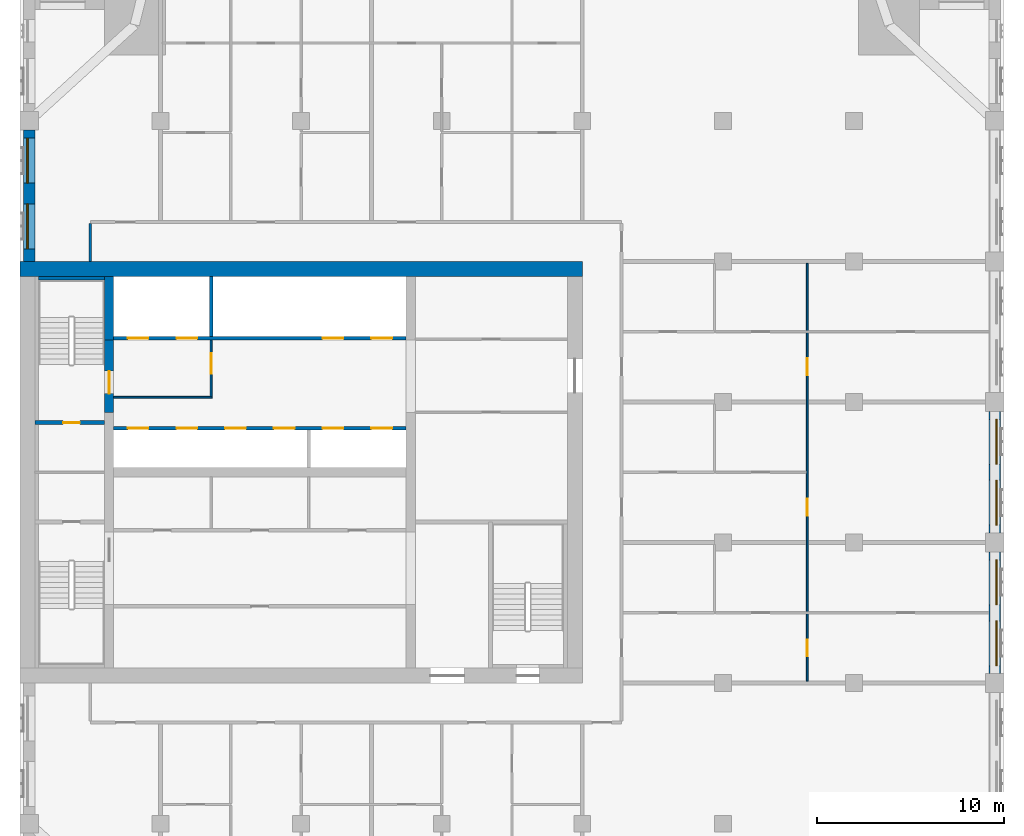
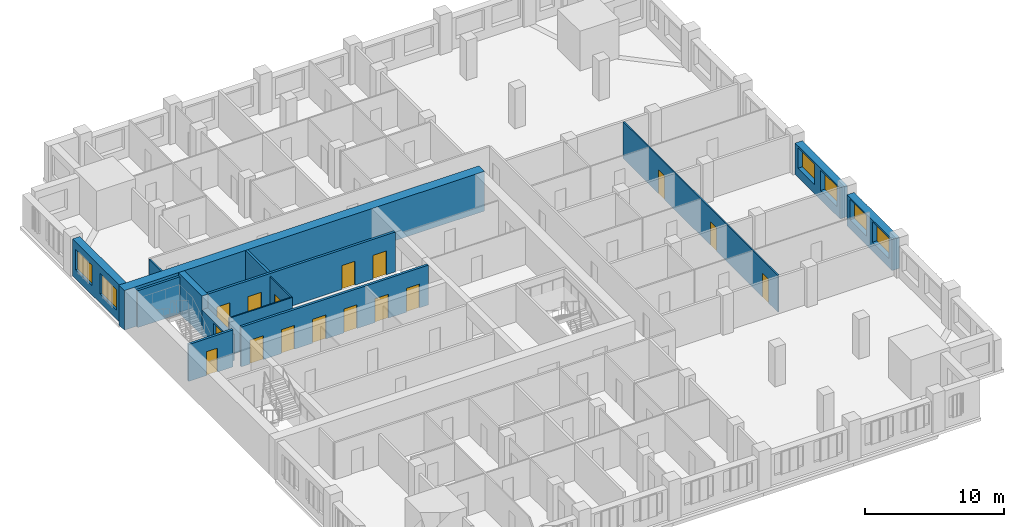
# One storey, part 9 of 14: 16 doors, 15 walls, 6 windows, 22 openings.
"""IFC4 building model written with IfcOpenShell, lengths in metres."""

from ifc_helpers import new_model, si_unit, direction, frame, frame_2d, origin, place, context, subcontext, project, spatial, rectangle, extrude, material, layer, layer_set, type_object, element, fill, save


model = new_model("IFC4")

# Units and contexts
model_context = context("Model", 3, precision=1e-05, world=origin(), true_north=direction((0.0, 1.0)))
body_context = subcontext(model_context, "Body", "Model", "MODEL_VIEW")
ifc_project = project(units=[si_unit("LENGTHUNIT", "METRE"), si_unit("AREAUNIT", "SQUARE_METRE"), si_unit("VOLUMEUNIT", "CUBIC_METRE"), si_unit("PLANEANGLEUNIT", "RADIAN"), si_unit("MASSUNIT", "GRAM", prefix="KILO")], contexts=[model_context])

# Site, building, storey
site_placement = place(None, origin())
site = spatial("IfcSite", under=ifc_project, at=site_placement, CompositionType="ELEMENT")
building_placement = place(site_placement, origin())
building = spatial("IfcBuilding", under=site, at=building_placement, Name="Tamorin Gate", CompositionType="ELEMENT")
storey_placement = place(building_placement, frame((0.0, 0.0, 182.699951171875)))
storey = spatial("IfcBuildingStorey", under=building, at=storey_placement, Name="L44", CompositionType="ELEMENT", Elevation=182.699951171875)

# Wall, openings, windows
ifc_material_1 = material(Name="Precast concrete C40/50", Category="concrete")
ifc_layer_1 = layer(ifc_material_1, 0.60009765625)
ifc_layer_set_1 = layer_set([ifc_layer_1], Name="Precast concrete C40/50")
wall_type_1 = type_object("IfcWallType", Name="Board-marked concrete facade panel 600", PredefinedType="SOLIDWALL", material=ifc_layer_set_1)
wall_1_placement = place(storey_placement, frame((82.0, 60.5, 0.0), z_axis=(0.0, 0.0, 1.0), x_axis=(0.0, 1.0, 0.0)))
wall_1 = element("IfcWall", 1, at=wall_1_placement, inside=storey, type_object=wall_type_1, Name="Facade panel", PredefinedType="SOLIDWALL", context=body_context, shape_type="SweptSolid", body=[
    extrude(rectangle(XDim=6.5, YDim=0.60009765625, at=frame_2d((3.25, 0.0))), origin(), (0.0, 0.0, 1.0), 2.75),
])
opening_1_placement = place(wall_1_placement, frame((0.425048828125, 0.0, 0.800048828125)))
opening_1 = element("IfcOpeningElement", 2, at=opening_1_placement, cuts=wall_1, Name="Opening WN1", PredefinedType="OPENING", context=body_context, shape_type="SweptSolid", body=[
    extrude(rectangle(XDim=2.39990234375, YDim=1.800048828125, at=frame_2d((1.199951171875, 0.89990234375))), frame((0.0, 0.31005859375, 0.0), z_axis=(0.0, -1.0, 0.0), x_axis=(1.0, 0.0, 0.0)), (0.0, 0.0, 1.0), 0.6201171875),
])
opening_2_placement = place(wall_1_placement, frame((3.675048828125, 0.0, 0.800048828125)))
opening_2 = element("IfcOpeningElement", 3, at=opening_2_placement, cuts=wall_1, Name="Opening WN1", PredefinedType="OPENING", context=body_context, shape_type="SweptSolid", body=[
    extrude(rectangle(XDim=2.39990234375, YDim=1.800048828125, at=frame_2d((1.199951171875, 0.89990234375))), frame((0.0, 0.31005859375, 0.0), z_axis=(0.0, -1.0, 0.0), x_axis=(1.0, 0.0, 0.0)), (0.0, 0.0, 1.0), 0.6201171875),
])
ifc_material_2 = material(Name="Clear glass in aluminium frame", Category="aluminium")
window_type = type_object("IfcWindowType", Name="Deep-set window 2400x1800", PartitioningType="SINGLE_PANEL", PredefinedType="WINDOW", material=ifc_material_2)
window_1_placement = place(opening_1_placement, origin())
window_1 = element("IfcWindow", 4, at=window_1_placement, inside=storey, type_object=window_type, Name="Deep-set window", OverallHeight=1.800048828125, OverallWidth=2.39990234375, PartitioningType="SINGLE_PANEL", PredefinedType="WINDOW", context=body_context, shape_type="SweptSolid", body=[
    extrude(rectangle(XDim=2.39990234375, YDim=1.800048828125, at=frame_2d((1.199951171875, 0.89990234375))), frame((0.0, -0.070068359375, 0.0), z_axis=(0.0, -1.0, 0.0), x_axis=(1.0, 0.0, 0.0)), (0.0, 0.0, 1.0), 0.06005859375),
])
fill(opening_1, window_1)
window_2_placement = place(opening_2_placement, origin())
window_2 = element("IfcWindow", 5, at=window_2_placement, inside=storey, type_object=window_type, Name="Deep-set window", OverallHeight=1.800048828125, OverallWidth=2.39990234375, PartitioningType="SINGLE_PANEL", PredefinedType="WINDOW", context=body_context, shape_type="SweptSolid", body=[
    extrude(rectangle(XDim=2.39990234375, YDim=1.800048828125, at=frame_2d((1.199951171875, 0.89990234375))), frame((0.0, -0.070068359375, 0.0), z_axis=(0.0, -1.0, 0.0), x_axis=(1.0, 0.0, 0.0)), (0.0, 0.0, 1.0), 0.06005859375),
])
fill(opening_2, window_2)

wall_2_placement = place(storey_placement, frame((82.0, 68.0, 0.0), z_axis=(0.0, 0.0, 1.0), x_axis=(0.0, 1.0, 0.0)))
wall_2 = element("IfcWall", 6, at=wall_2_placement, inside=storey, type_object=wall_type_1, Name="Facade panel", PredefinedType="SOLIDWALL", context=body_context, shape_type="SweptSolid", body=[
    extrude(rectangle(XDim=6.5, YDim=0.60009765625, at=frame_2d((3.25, 0.0))), origin(), (0.0, 0.0, 1.0), 2.75),
])
opening_3_placement = place(wall_2_placement, frame((0.425048828125, 0.0, 0.800048828125)))
opening_3 = element("IfcOpeningElement", 7, at=opening_3_placement, cuts=wall_2, Name="Opening WN1", PredefinedType="OPENING", context=body_context, shape_type="SweptSolid", body=[
    extrude(rectangle(XDim=2.39990234375, YDim=1.800048828125, at=frame_2d((1.199951171875, 0.89990234375))), frame((0.0, 0.31005859375, 0.0), z_axis=(0.0, -1.0, 0.0), x_axis=(1.0, 0.0, 0.0)), (0.0, 0.0, 1.0), 0.6201171875),
])
opening_4_placement = place(wall_2_placement, frame((3.675048828125, 0.0, 0.800048828125)))
opening_4 = element("IfcOpeningElement", 8, at=opening_4_placement, cuts=wall_2, Name="Opening WN1", PredefinedType="OPENING", context=body_context, shape_type="SweptSolid", body=[
    extrude(rectangle(XDim=2.39990234375, YDim=1.800048828125, at=frame_2d((1.199951171875, 0.89990234375))), frame((0.0, 0.31005859375, 0.0), z_axis=(0.0, -1.0, 0.0), x_axis=(1.0, 0.0, 0.0)), (0.0, 0.0, 1.0), 0.6201171875),
])
window_3_placement = place(opening_3_placement, origin())
window_3 = element("IfcWindow", 9, at=window_3_placement, inside=storey, type_object=window_type, Name="Deep-set window", OverallHeight=1.800048828125, OverallWidth=2.39990234375, PartitioningType="SINGLE_PANEL", PredefinedType="WINDOW", context=body_context, shape_type="SweptSolid", body=[
    extrude(rectangle(XDim=2.39990234375, YDim=1.800048828125, at=frame_2d((1.199951171875, 0.89990234375))), frame((0.0, -0.070068359375, 0.0), z_axis=(0.0, -1.0, 0.0), x_axis=(1.0, 0.0, 0.0)), (0.0, 0.0, 1.0), 0.06005859375),
])
fill(opening_3, window_3)
window_4_placement = place(opening_4_placement, origin())
window_4 = element("IfcWindow", 10, at=window_4_placement, inside=storey, type_object=window_type, Name="Deep-set window", OverallHeight=1.800048828125, OverallWidth=2.39990234375, PartitioningType="SINGLE_PANEL", PredefinedType="WINDOW", context=body_context, shape_type="SweptSolid", body=[
    extrude(rectangle(XDim=2.39990234375, YDim=1.800048828125, at=frame_2d((1.199951171875, 0.89990234375))), frame((0.0, -0.070068359375, 0.0), z_axis=(0.0, -1.0, 0.0), x_axis=(1.0, 0.0, 0.0)), (0.0, 0.0, 1.0), 0.06005859375),
])
fill(opening_4, window_4)

wall_3_placement = place(storey_placement, frame((30.5, 89.5, 0.0), z_axis=(0.0, 0.0, 1.0), x_axis=(0.0, -1.0, 0.0)))
wall_3 = element("IfcWall", 11, at=wall_3_placement, inside=storey, type_object=wall_type_1, Name="Facade panel", PredefinedType="SOLIDWALL", context=body_context, shape_type="SweptSolid", body=[
    extrude(rectangle(XDim=7.0, YDim=0.60009765625, at=frame_2d((3.5, 0.0))), origin(), (0.0, 0.0, 1.0), 3.25),
])
opening_5_placement = place(wall_3_placement, frame((3.925048828125, 0.0, 0.800048828125)))
opening_5 = element("IfcOpeningElement", 12, at=opening_5_placement, cuts=wall_3, Name="Opening WN1", PredefinedType="OPENING", context=body_context, shape_type="SweptSolid", body=[
    extrude(rectangle(XDim=2.39990234375, YDim=1.800048828125, at=frame_2d((1.199951171875, 0.89990234375))), frame((0.0, 0.31005859375, 0.0), z_axis=(0.0, -1.0, 0.0), x_axis=(1.0, 0.0, 0.0)), (0.0, 0.0, 1.0), 0.6201171875),
])
opening_6_placement = place(wall_3_placement, frame((0.425048828125, 0.0, 0.800048828125)))
opening_6 = element("IfcOpeningElement", 13, at=opening_6_placement, cuts=wall_3, Name="Opening WN1", PredefinedType="OPENING", context=body_context, shape_type="SweptSolid", body=[
    extrude(rectangle(XDim=2.39990234375, YDim=1.800048828125, at=frame_2d((1.199951171875, 0.89990234375))), frame((0.0, 0.31005859375, 0.0), z_axis=(0.0, -1.0, 0.0), x_axis=(1.0, 0.0, 0.0)), (0.0, 0.0, 1.0), 0.6201171875),
])
window_5_placement = place(opening_5_placement, origin())
window_5 = element("IfcWindow", 14, at=window_5_placement, inside=storey, type_object=window_type, Name="Deep-set window", OverallHeight=1.800048828125, OverallWidth=2.39990234375, PartitioningType="SINGLE_PANEL", PredefinedType="WINDOW", context=body_context, shape_type="SweptSolid", body=[
    extrude(rectangle(XDim=2.39990234375, YDim=1.800048828125, at=frame_2d((1.199951171875, 0.89990234375))), frame((0.0, -0.070068359375, 0.0), z_axis=(0.0, -1.0, 0.0), x_axis=(1.0, 0.0, 0.0)), (0.0, 0.0, 1.0), 0.06005859375),
])
fill(opening_5, window_5)
window_6_placement = place(opening_6_placement, origin())
window_6 = element("IfcWindow", 15, at=window_6_placement, inside=storey, type_object=window_type, Name="Deep-set window", OverallHeight=1.800048828125, OverallWidth=2.39990234375, PartitioningType="SINGLE_PANEL", PredefinedType="WINDOW", context=body_context, shape_type="SweptSolid", body=[
    extrude(rectangle(XDim=2.39990234375, YDim=1.800048828125, at=frame_2d((1.199951171875, 0.89990234375))), frame((0.0, -0.070068359375, 0.0), z_axis=(0.0, -1.0, 0.0), x_axis=(1.0, 0.0, 0.0)), (0.0, 0.0, 1.0), 0.06005859375),
])
fill(opening_6, window_6)

# Wall
ifc_material_3 = material(Name="Gypsum board partition")
ifc_layer_2 = layer(ifc_material_3, 0.14990234375)
ifc_layer_set_2 = layer_set([ifc_layer_2], Name="Corridor wall 150")
wall_type_2 = type_object("IfcWallType", Name="Corridor wall 150", PredefinedType="PARTITIONING", material=ifc_layer_set_2)
wall_4_placement = place(storey_placement, frame((33.75, 82.5, 0.0), z_axis=(0.0, 0.0, 1.0), x_axis=(0.0, 1.0, 0.0)))
element("IfcWall", 16, at=wall_4_placement, inside=storey, type_object=wall_type_2, Name="Corridor wall 150", PredefinedType="PARTITIONING", context=body_context, shape_type="SweptSolid", body=[
    extrude(rectangle(XDim=2.02490234375, YDim=0.14990234375, at=frame_2d((1.012451171875, 0.0))), origin(), (0.0, 0.0, 1.0), 3.25),
])

# Wall, openings, doors
ifc_material_4 = material(Name="Concrete C32/40", Category="concrete")
ifc_layer_3 = layer(ifc_material_4, 0.199951171875)
ifc_layer_set_3 = layer_set([ifc_layer_3], Name="Lift lobby face wall 200 EI 120")
wall_type_3 = type_object("IfcWallType", Name="Lift lobby face wall 200 EI 120", PredefinedType="SOLIDWALL", material=ifc_layer_set_3)
wall_5_placement = place(storey_placement, frame((35.0, 73.60009765625, 0.0), z_axis=(0.0, 0.0, 1.0), x_axis=(1.0, 0.0, 0.0)))
wall_5 = element("IfcWall", 17, at=wall_5_placement, inside=storey, type_object=wall_type_3, Name="Lift lobby face wall", PredefinedType="SOLIDWALL", context=body_context, shape_type="SweptSolid", body=[
    extrude(rectangle(XDim=15.60009765625, YDim=0.199951171875, at=frame_2d((7.800048828125, 0.0))), origin(), (0.0, 0.0, 1.0), 3.5),
])
opening_7_placement = place(wall_5_placement, frame((0.75, 0.0, 0.0)))
opening_7 = element("IfcOpeningElement", 18, at=opening_7_placement, cuts=wall_5, Name="Opening LD11", PredefinedType="OPENING", context=body_context, shape_type="SweptSolid", body=[
    extrude(rectangle(XDim=1.10009765625, YDim=2.10009765625, at=frame_2d((0.550048828125, 1.050048828125))), frame((0.0, 0.10986328125, 0.0), z_axis=(0.0, -1.0, 0.0), x_axis=(1.0, 0.0, 0.0)), (0.0, 0.0, 1.0), 0.219970703125),
])
opening_8_placement = place(wall_5_placement, frame((3.35009765625, 0.0, 0.0)))
opening_8 = element("IfcOpeningElement", 19, at=opening_8_placement, cuts=wall_5, Name="Opening LD12", PredefinedType="OPENING", context=body_context, shape_type="SweptSolid", body=[
    extrude(rectangle(XDim=1.10009765625, YDim=2.10009765625, at=frame_2d((0.550048828125, 1.050048828125))), frame((0.0, 0.10986328125, 0.0), z_axis=(0.0, -1.0, 0.0), x_axis=(1.0, 0.0, 0.0)), (0.0, 0.0, 1.0), 0.219970703125),
])
opening_9_placement = place(wall_5_placement, frame((5.949951171875, 0.0, 0.0)))
opening_9 = element("IfcOpeningElement", 20, at=opening_9_placement, cuts=wall_5, Name="Opening LD13", PredefinedType="OPENING", context=body_context, shape_type="SweptSolid", body=[
    extrude(rectangle(XDim=1.10009765625, YDim=2.10009765625, at=frame_2d((0.550048828125, 1.050048828125))), frame((0.0, 0.10986328125, 0.0), z_axis=(0.0, -1.0, 0.0), x_axis=(1.0, 0.0, 0.0)), (0.0, 0.0, 1.0), 0.219970703125),
])
opening_10_placement = place(wall_5_placement, frame((8.550048828125, 0.0, 0.0)))
opening_10 = element("IfcOpeningElement", 21, at=opening_10_placement, cuts=wall_5, Name="Opening LD14", PredefinedType="OPENING", context=body_context, shape_type="SweptSolid", body=[
    extrude(rectangle(XDim=1.10009765625, YDim=2.10009765625, at=frame_2d((0.550048828125, 1.050048828125))), frame((0.0, 0.10986328125, 0.0), z_axis=(0.0, -1.0, 0.0), x_axis=(1.0, 0.0, 0.0)), (0.0, 0.0, 1.0), 0.219970703125),
])
opening_11_placement = place(wall_5_placement, frame((11.14990234375, 0.0, 0.0)))
opening_11 = element("IfcOpeningElement", 22, at=opening_11_placement, cuts=wall_5, Name="Opening LD15", PredefinedType="OPENING", context=body_context, shape_type="SweptSolid", body=[
    extrude(rectangle(XDim=1.10009765625, YDim=2.10009765625, at=frame_2d((0.550048828125, 1.050048828125))), frame((0.0, 0.10986328125, 0.0), z_axis=(0.0, -1.0, 0.0), x_axis=(1.0, 0.0, 0.0)), (0.0, 0.0, 1.0), 0.219970703125),
])
opening_12_placement = place(wall_5_placement, frame((13.75, 0.0, 0.0)))
opening_12 = element("IfcOpeningElement", 23, at=opening_12_placement, cuts=wall_5, Name="Opening LD16", PredefinedType="OPENING", context=body_context, shape_type="SweptSolid", body=[
    extrude(rectangle(XDim=1.10009765625, YDim=2.10009765625, at=frame_2d((0.550048828125, 1.050048828125))), frame((0.0, 0.10986328125, 0.0), z_axis=(0.0, -1.0, 0.0), x_axis=(1.0, 0.0, 0.0)), (0.0, 0.0, 1.0), 0.219970703125),
])
ifc_material_5 = material(Name="Stainless steel sliding door", Category="steel")
door_type_1 = type_object("IfcDoorType", Name="Lift landing door 1100 x 2100 E 90", OperationType="DOUBLE_DOOR_SLIDING", PredefinedType="DOOR", material=ifc_material_5)
door_1_placement = place(opening_7_placement, origin())
door_1 = element("IfcDoor", 24, at=door_1_placement, inside=storey, type_object=door_type_1, Name="HR1 landing door", OperationType="DOUBLE_DOOR_SLIDING", OverallHeight=2.10009765625, OverallWidth=1.10009765625, PredefinedType="DOOR", context=body_context, shape_type="SweptSolid", body=[
    extrude(rectangle(XDim=1.10009765625, YDim=2.10009765625, at=frame_2d((0.550048828125, 1.050048828125))), frame((0.0, 0.02490234375, 0.0), z_axis=(0.0, -1.0, 0.0), x_axis=(1.0, 0.0, 0.0)), (0.0, 0.0, 1.0), 0.050048828125),
])
fill(opening_7, door_1)
door_2_placement = place(opening_8_placement, origin())
door_2 = element("IfcDoor", 25, at=door_2_placement, inside=storey, type_object=door_type_1, Name="HR2 landing door", OperationType="DOUBLE_DOOR_SLIDING", OverallHeight=2.10009765625, OverallWidth=1.10009765625, PredefinedType="DOOR", context=body_context, shape_type="SweptSolid", body=[
    extrude(rectangle(XDim=1.10009765625, YDim=2.10009765625, at=frame_2d((0.550048828125, 1.050048828125))), frame((0.0, 0.02490234375, 0.0), z_axis=(0.0, -1.0, 0.0), x_axis=(1.0, 0.0, 0.0)), (0.0, 0.0, 1.0), 0.050048828125),
])
fill(opening_8, door_2)
door_3_placement = place(opening_9_placement, origin())
door_3 = element("IfcDoor", 26, at=door_3_placement, inside=storey, type_object=door_type_1, Name="HR3 landing door", OperationType="DOUBLE_DOOR_SLIDING", OverallHeight=2.10009765625, OverallWidth=1.10009765625, PredefinedType="DOOR", context=body_context, shape_type="SweptSolid", body=[
    extrude(rectangle(XDim=1.10009765625, YDim=2.10009765625, at=frame_2d((0.550048828125, 1.050048828125))), frame((0.0, 0.02490234375, 0.0), z_axis=(0.0, -1.0, 0.0), x_axis=(1.0, 0.0, 0.0)), (0.0, 0.0, 1.0), 0.050048828125),
])
fill(opening_9, door_3)
door_4_placement = place(opening_10_placement, origin())
door_4 = element("IfcDoor", 27, at=door_4_placement, inside=storey, type_object=door_type_1, Name="HR4 landing door", OperationType="DOUBLE_DOOR_SLIDING", OverallHeight=2.10009765625, OverallWidth=1.10009765625, PredefinedType="DOOR", context=body_context, shape_type="SweptSolid", body=[
    extrude(rectangle(XDim=1.10009765625, YDim=2.10009765625, at=frame_2d((0.550048828125, 1.050048828125))), frame((0.0, 0.02490234375, 0.0), z_axis=(0.0, -1.0, 0.0), x_axis=(1.0, 0.0, 0.0)), (0.0, 0.0, 1.0), 0.050048828125),
])
fill(opening_10, door_4)
door_5_placement = place(opening_11_placement, origin())
door_5 = element("IfcDoor", 28, at=door_5_placement, inside=storey, type_object=door_type_1, Name="HR5 landing door", OperationType="DOUBLE_DOOR_SLIDING", OverallHeight=2.10009765625, OverallWidth=1.10009765625, PredefinedType="DOOR", context=body_context, shape_type="SweptSolid", body=[
    extrude(rectangle(XDim=1.10009765625, YDim=2.10009765625, at=frame_2d((0.550048828125, 1.050048828125))), frame((0.0, 0.02490234375, 0.0), z_axis=(0.0, -1.0, 0.0), x_axis=(1.0, 0.0, 0.0)), (0.0, 0.0, 1.0), 0.050048828125),
])
fill(opening_11, door_5)
door_6_placement = place(opening_12_placement, origin())
door_6 = element("IfcDoor", 29, at=door_6_placement, inside=storey, type_object=door_type_1, Name="HR6 landing door", OperationType="DOUBLE_DOOR_SLIDING", OverallHeight=2.10009765625, OverallWidth=1.10009765625, PredefinedType="DOOR", context=body_context, shape_type="SweptSolid", body=[
    extrude(rectangle(XDim=1.10009765625, YDim=2.10009765625, at=frame_2d((0.550048828125, 1.050048828125))), frame((0.0, 0.02490234375, 0.0), z_axis=(0.0, -1.0, 0.0), x_axis=(1.0, 0.0, 0.0)), (0.0, 0.0, 1.0), 0.050048828125),
])
fill(opening_12, door_6)

wall_6_placement = place(storey_placement, frame((35.0, 78.39990234375, 0.0), z_axis=(0.0, 0.0, 1.0), x_axis=(1.0, 0.0, 0.0)))
wall_6 = element("IfcWall", 30, at=wall_6_placement, inside=storey, type_object=wall_type_3, Name="Lift lobby face wall", PredefinedType="SOLIDWALL", context=body_context, shape_type="SweptSolid", body=[
    extrude(rectangle(XDim=15.60009765625, YDim=0.199951171875, at=frame_2d((7.800048828125, 0.0))), origin(), (0.0, 0.0, 1.0), 3.5),
])
opening_13_placement = place(wall_6_placement, frame((0.75, 0.0, 0.0)))
opening_13 = element("IfcOpeningElement", 31, at=opening_13_placement, cuts=wall_6, Name="Opening LD17", PredefinedType="OPENING", context=body_context, shape_type="SweptSolid", body=[
    extrude(rectangle(XDim=1.10009765625, YDim=2.10009765625, at=frame_2d((0.550048828125, 1.050048828125))), frame((0.0, 0.10986328125, 0.0), z_axis=(0.0, -1.0, 0.0), x_axis=(1.0, 0.0, 0.0)), (0.0, 0.0, 1.0), 0.219970703125),
])
opening_14_placement = place(wall_6_placement, frame((3.35009765625, 0.0, 0.0)))
opening_14 = element("IfcOpeningElement", 32, at=opening_14_placement, cuts=wall_6, Name="Opening LD18", PredefinedType="OPENING", context=body_context, shape_type="SweptSolid", body=[
    extrude(rectangle(XDim=1.10009765625, YDim=2.10009765625, at=frame_2d((0.550048828125, 1.050048828125))), frame((0.0, 0.10986328125, 0.0), z_axis=(0.0, -1.0, 0.0), x_axis=(1.0, 0.0, 0.0)), (0.0, 0.0, 1.0), 0.219970703125),
])
opening_15_placement = place(wall_6_placement, frame((11.14990234375, 0.0, 0.0)))
opening_15 = element("IfcOpeningElement", 33, at=opening_15_placement, cuts=wall_6, Name="Opening LD21", PredefinedType="OPENING", context=body_context, shape_type="SweptSolid", body=[
    extrude(rectangle(XDim=1.10009765625, YDim=2.10009765625, at=frame_2d((0.550048828125, 1.050048828125))), frame((0.0, 0.10986328125, 0.0), z_axis=(0.0, -1.0, 0.0), x_axis=(1.0, 0.0, 0.0)), (0.0, 0.0, 1.0), 0.219970703125),
])
opening_16_placement = place(wall_6_placement, frame((13.75, 0.0, 0.0)))
opening_16 = element("IfcOpeningElement", 34, at=opening_16_placement, cuts=wall_6, Name="Opening LD22", PredefinedType="OPENING", context=body_context, shape_type="SweptSolid", body=[
    extrude(rectangle(XDim=1.10009765625, YDim=2.10009765625, at=frame_2d((0.550048828125, 1.050048828125))), frame((0.0, 0.10986328125, 0.0), z_axis=(0.0, -1.0, 0.0), x_axis=(1.0, 0.0, 0.0)), (0.0, 0.0, 1.0), 0.219970703125),
])
door_7_placement = place(opening_13_placement, origin())
door_7 = element("IfcDoor", 35, at=door_7_placement, inside=storey, type_object=door_type_1, Name="FF1 landing door", OperationType="DOUBLE_DOOR_SLIDING", OverallHeight=2.10009765625, OverallWidth=1.10009765625, PredefinedType="DOOR", context=body_context, shape_type="SweptSolid", body=[
    extrude(rectangle(XDim=1.10009765625, YDim=2.10009765625, at=frame_2d((0.550048828125, 1.050048828125))), frame((0.0, 0.02490234375, 0.0), z_axis=(0.0, -1.0, 0.0), x_axis=(1.0, 0.0, 0.0)), (0.0, 0.0, 1.0), 0.050048828125),
])
fill(opening_13, door_7)
door_8_placement = place(opening_14_placement, origin())
door_8 = element("IfcDoor", 36, at=door_8_placement, inside=storey, type_object=door_type_1, Name="FF2 landing door", OperationType="DOUBLE_DOOR_SLIDING", OverallHeight=2.10009765625, OverallWidth=1.10009765625, PredefinedType="DOOR", context=body_context, shape_type="SweptSolid", body=[
    extrude(rectangle(XDim=1.10009765625, YDim=2.10009765625, at=frame_2d((0.550048828125, 1.050048828125))), frame((0.0, 0.02490234375, 0.0), z_axis=(0.0, -1.0, 0.0), x_axis=(1.0, 0.0, 0.0)), (0.0, 0.0, 1.0), 0.050048828125),
])
fill(opening_14, door_8)
door_9_placement = place(opening_15_placement, origin())
door_9 = element("IfcDoor", 37, at=door_9_placement, inside=storey, type_object=door_type_1, Name="SV1 landing door", OperationType="DOUBLE_DOOR_SLIDING", OverallHeight=2.10009765625, OverallWidth=1.10009765625, PredefinedType="DOOR", context=body_context, shape_type="SweptSolid", body=[
    extrude(rectangle(XDim=1.10009765625, YDim=2.10009765625, at=frame_2d((0.550048828125, 1.050048828125))), frame((0.0, 0.02490234375, 0.0), z_axis=(0.0, -1.0, 0.0), x_axis=(1.0, 0.0, 0.0)), (0.0, 0.0, 1.0), 0.050048828125),
])
fill(opening_15, door_9)
door_10_placement = place(opening_16_placement, origin())
door_10 = element("IfcDoor", 38, at=door_10_placement, inside=storey, type_object=door_type_1, Name="SV2 landing door", OperationType="DOUBLE_DOOR_SLIDING", OverallHeight=2.10009765625, OverallWidth=1.10009765625, PredefinedType="DOOR", context=body_context, shape_type="SweptSolid", body=[
    extrude(rectangle(XDim=1.10009765625, YDim=2.10009765625, at=frame_2d((0.550048828125, 1.050048828125))), frame((0.0, 0.02490234375, 0.0), z_axis=(0.0, -1.0, 0.0), x_axis=(1.0, 0.0, 0.0)), (0.0, 0.0, 1.0), 0.050048828125),
])
fill(opening_16, door_10)

# Walls
ifc_layer_4 = layer(ifc_material_4, 0.199951171875)
ifc_layer_set_4 = layer_set([ifc_layer_4], Name="Lift shaft wall 200 EI 120")
wall_type_4 = type_object("IfcWallType", Name="Lift shaft wall 200 EI 120", PredefinedType="SOLIDWALL", material=ifc_layer_set_4)
wall_7_placement = place(storey_placement, frame((40.199951171875, 78.5, 0.0), z_axis=(0.0, 0.0, 1.0), x_axis=(0.0, 1.0, 0.0)))
element("IfcWall", 39, at=wall_7_placement, inside=storey, type_object=wall_type_4, Name="Lift shaft wall", PredefinedType="SOLIDWALL", context=body_context, shape_type="SweptSolid", body=[
    extrude(rectangle(XDim=3.199951171875, YDim=0.199951171875, at=frame_2d((1.60009765625, 0.0))), origin(), (0.0, 0.0, 1.0), 3.5),
])
ifc_material_6 = material(Name="Fire-rated gypsum board partition")
ifc_layer_5 = layer(ifc_material_6, 0.10009765625)
ifc_layer_set_5 = layer_set([ifc_layer_5], Name="Lobby wall 100 EI 60")
wall_type_5 = type_object("IfcWallType", Name="Lobby wall 100 EI 60", PredefinedType="PARTITIONING", material=ifc_layer_set_5)
wall_8_placement = place(storey_placement, frame((35.0, 75.25, 0.0), z_axis=(0.0, 0.0, 1.0), x_axis=(1.0, 0.0, 0.0)))
element("IfcWall", 40, at=wall_8_placement, inside=storey, type_object=wall_type_5, Name="Firefighting lobby wall", PredefinedType="PARTITIONING", context=body_context, shape_type="SweptSolid", body=[
    extrude(rectangle(XDim=5.25, YDim=0.10009765625, at=frame_2d((2.625, 0.0))), origin(), (0.0, 0.0, 1.0), 3.25),
])

# Wall, opening, door
wall_9_placement = place(storey_placement, frame((40.199951171875, 75.300048828125, 0.0), z_axis=(0.0, 0.0, 1.0), x_axis=(0.0, 1.0, 0.0)))
wall_9 = element("IfcWall", 41, at=wall_9_placement, inside=storey, type_object=wall_type_5, Name="Firefighting lobby wall", PredefinedType="PARTITIONING", context=body_context, shape_type="SweptSolid", body=[
    extrude(rectangle(XDim=3.0, YDim=0.10009765625, at=frame_2d((1.5, 0.0))), origin(), (0.0, 0.0, 1.0), 3.25),
])
opening_17_placement = place(wall_9_placement, frame((1.199951171875, 0.0, 0.0)))
opening_17 = element("IfcOpeningElement", 42, at=opening_17_placement, cuts=wall_9, Name="Opening DF1", PredefinedType="OPENING", context=body_context, shape_type="SweptSolid", body=[
    extrude(rectangle(XDim=1.10009765625, YDim=2.10009765625, at=frame_2d((0.550048828125, 1.050048828125))), frame((0.0, 0.06005859375, 0.0), z_axis=(0.0, -1.0, 0.0), x_axis=(1.0, 0.0, 0.0)), (0.0, 0.0, 1.0), 0.1201171875),
])
ifc_material_7 = material(Name="Steel fire door", Category="steel")
door_type_2 = type_object("IfcDoorType", Name="Firefighting lobby door 1100 x 2100 EI 90", OperationType="SINGLE_SWING_LEFT", PredefinedType="DOOR", material=ifc_material_7)
door_11_placement = place(opening_17_placement, origin())
door_11 = element("IfcDoor", 43, at=door_11_placement, inside=storey, type_object=door_type_2, Name="Firefighting lobby door", OperationType="SINGLE_SWING_LEFT", OverallHeight=2.10009765625, OverallWidth=1.10009765625, PredefinedType="DOOR", context=body_context, shape_type="SweptSolid", body=[
    extrude(rectangle(XDim=1.10009765625, YDim=2.10009765625, at=frame_2d((0.550048828125, 1.050048828125))), frame((0.0, 0.02490234375, 0.0), z_axis=(0.0, -1.0, 0.0), x_axis=(1.0, 0.0, 0.0)), (0.0, 0.0, 1.0), 0.050048828125),
])
fill(opening_17, door_11)

# Walls
ifc_material_8 = material(Name="Concrete C60/75", Category="concrete")
ifc_layer_6 = layer(ifc_material_8, 0.5)
ifc_layer_set_6 = layer_set([ifc_layer_6], Name="RC core internal wall 500 C60/75")
wall_type_6 = type_object("IfcWallType", Name="RC core internal wall 500 C60/75", PredefinedType="SHEAR", material=ifc_layer_set_6)
wall_10_placement = place(storey_placement, frame((34.75, 78.300048828125, 0.0), z_axis=(0.0, 0.0, 1.0), x_axis=(0.0, 1.0, 0.0)))
element("IfcWall", 44, at=wall_10_placement, inside=storey, type_object=wall_type_6, Name="Core cross wall L44", PredefinedType="SHEAR", context=body_context, shape_type="SweptSolid", body=[
    extrude(rectangle(XDim=3.39990234375, YDim=0.5, at=frame_2d((1.699951171875, 0.0))), origin(), (0.0, 0.0, 1.0), 3.5),
])
ifc_layer_7 = layer(ifc_material_8, 0.800048828125)
ifc_layer_set_7 = layer_set([ifc_layer_7], Name="RC core wall 800 C60/75")
wall_type_7 = type_object("IfcWallType", Name="RC core wall 800 C60/75", PredefinedType="SHEAR", material=ifc_layer_set_7)
wall_11_placement = place(storey_placement, frame((30.0, 82.10009765625, 0.0), z_axis=(0.0, 0.0, 1.0), x_axis=(1.0, 0.0, 0.0)))
element("IfcWall", 45, at=wall_11_placement, inside=storey, type_object=wall_type_7, Name="Core wall L44", PredefinedType="SHEAR", context=body_context, shape_type="SweptSolid", body=[
    extrude(rectangle(XDim=30.0, YDim=0.800048828125, at=frame_2d((15.0, 0.0))), origin(), (0.0, 0.0, 1.0), 3.5),
])

# Wall, openings, doors
ifc_layer_8 = layer(ifc_material_3, 0.10009765625)
ifc_layer_set_8 = layer_set([ifc_layer_8], Name="Room partition 100")
wall_type_8 = type_object("IfcWallType", Name="Room partition 100", PredefinedType="PARTITIONING", material=ifc_layer_set_8)
wall_12_placement = place(storey_placement, frame((72.0, 60.10009765625, 0.0), z_axis=(0.0, 0.0, 1.0), x_axis=(0.0, 1.0, 0.0)))
wall_12 = element("IfcWall", 46, at=wall_12_placement, inside=storey, type_object=wall_type_8, Name="Room partition 100", PredefinedType="PARTITIONING", context=body_context, shape_type="SweptSolid", body=[
    extrude(rectangle(XDim=22.2998046875, YDim=0.10009765625, at=frame_2d((11.14990234375, 0.0))), origin(), (0.0, 0.0, 1.0), 3.25),
])
opening_18_placement = place(wall_12_placement, frame((1.324951171875, 0.0, 0.0)))
opening_18 = element("IfcOpeningElement", 47, at=opening_18_placement, cuts=wall_12, Name="Opening DR2037", PredefinedType="OPENING", context=body_context, shape_type="SweptSolid", body=[
    extrude(rectangle(XDim=0.89990234375, YDim=2.10009765625, at=frame_2d((0.449951171875, 1.050048828125))), frame((0.0, 0.06005859375, 0.0), z_axis=(0.0, -1.0, 0.0), x_axis=(1.0, 0.0, 0.0)), (0.0, 0.0, 1.0), 0.1201171875),
])
opening_19_placement = place(wall_12_placement, frame((8.824951171875, 0.0, 0.0)))
opening_19 = element("IfcOpeningElement", 48, at=opening_19_placement, cuts=wall_12, Name="Opening DR2042", PredefinedType="OPENING", context=body_context, shape_type="SweptSolid", body=[
    extrude(rectangle(XDim=0.89990234375, YDim=2.10009765625, at=frame_2d((0.449951171875, 1.050048828125))), frame((0.0, 0.06005859375, 0.0), z_axis=(0.0, -1.0, 0.0), x_axis=(1.0, 0.0, 0.0)), (0.0, 0.0, 1.0), 0.1201171875),
])
opening_20_placement = place(wall_12_placement, frame((16.324951171875, 0.0, 0.0)))
opening_20 = element("IfcOpeningElement", 49, at=opening_20_placement, cuts=wall_12, Name="Opening DR2046", PredefinedType="OPENING", context=body_context, shape_type="SweptSolid", body=[
    extrude(rectangle(XDim=0.89990234375, YDim=2.10009765625, at=frame_2d((0.449951171875, 1.050048828125))), frame((0.0, 0.06005859375, 0.0), z_axis=(0.0, -1.0, 0.0), x_axis=(1.0, 0.0, 0.0)), (0.0, 0.0, 1.0), 0.1201171875),
])
ifc_material_9 = material(Name="Timber door leaf", Category="wood")
door_type_3 = type_object("IfcDoorType", Name="Door 900 x 2100", OperationType="NOTDEFINED", PredefinedType="DOOR", material=ifc_material_9)
door_12_placement = place(opening_18_placement, origin())
door_12 = element("IfcDoor", 50, at=door_12_placement, inside=storey, type_object=door_type_3, Name="Door DR2037", OperationType="SINGLE_SWING_LEFT", OverallHeight=2.10009765625, OverallWidth=0.89990234375, PredefinedType="DOOR", context=body_context, shape_type="SweptSolid", body=[
    extrude(rectangle(XDim=0.89990234375, YDim=2.10009765625, at=frame_2d((0.449951171875, 1.050048828125))), frame((0.0, 0.02490234375, 0.0), z_axis=(0.0, -1.0, 0.0), x_axis=(1.0, 0.0, 0.0)), (0.0, 0.0, 1.0), 0.050048828125),
])
fill(opening_18, door_12)
door_13_placement = place(opening_19_placement, origin())
door_13 = element("IfcDoor", 51, at=door_13_placement, inside=storey, type_object=door_type_3, Name="Door DR2042", OperationType="SINGLE_SWING_LEFT", OverallHeight=2.10009765625, OverallWidth=0.89990234375, PredefinedType="DOOR", context=body_context, shape_type="SweptSolid", body=[
    extrude(rectangle(XDim=0.89990234375, YDim=2.10009765625, at=frame_2d((0.449951171875, 1.050048828125))), frame((0.0, 0.02490234375, 0.0), z_axis=(0.0, -1.0, 0.0), x_axis=(1.0, 0.0, 0.0)), (0.0, 0.0, 1.0), 0.050048828125),
])
fill(opening_19, door_13)
door_14_placement = place(opening_20_placement, origin())
door_14 = element("IfcDoor", 52, at=door_14_placement, inside=storey, type_object=door_type_3, Name="Door DR2046", OperationType="SINGLE_SWING_LEFT", OverallHeight=2.10009765625, OverallWidth=0.89990234375, PredefinedType="DOOR", context=body_context, shape_type="SweptSolid", body=[
    extrude(rectangle(XDim=0.89990234375, YDim=2.10009765625, at=frame_2d((0.449951171875, 1.050048828125))), frame((0.0, 0.02490234375, 0.0), z_axis=(0.0, -1.0, 0.0), x_axis=(1.0, 0.0, 0.0)), (0.0, 0.0, 1.0), 0.050048828125),
])
fill(opening_20, door_14)

# Wall, opening, door
ifc_material_10 = material(Name="Concrete C40/50", Category="concrete")
ifc_layer_9 = layer(ifc_material_10, 0.199951171875)
ifc_layer_set_9 = layer_set([ifc_layer_9], Name="Stair enclosure wall 200 EI 120 C40/50")
wall_type_9 = type_object("IfcWallType", Name="Stair enclosure wall 200 EI 120 C40/50", PredefinedType="SOLIDWALL", material=ifc_layer_set_9)
wall_13_placement = place(storey_placement, frame((30.800048828125, 73.89990234375, 0.0), z_axis=(0.0, 0.0, 1.0), x_axis=(1.0, 0.0, 0.0)))
wall_13 = element("IfcWall", 53, at=wall_13_placement, inside=storey, type_object=wall_type_9, Name="Stair enclosure wall", PredefinedType="SOLIDWALL", context=body_context, shape_type="SweptSolid", body=[
    extrude(rectangle(XDim=3.699951171875, YDim=0.199951171875, at=frame_2d((1.85009765625, 0.0))), origin(), (0.0, 0.0, 1.0), 3.25),
])
opening_21_placement = place(wall_13_placement, frame((1.5, 0.0, 0.0)))
opening_21 = element("IfcOpeningElement", 54, at=opening_21_placement, cuts=wall_13, Name="Opening DR1", PredefinedType="OPENING", context=body_context, shape_type="SweptSolid", body=[
    extrude(rectangle(XDim=0.89990234375, YDim=2.10009765625, at=frame_2d((0.449951171875, 1.050048828125))), frame((0.0, 0.10986328125, 0.0), z_axis=(0.0, -1.0, 0.0), x_axis=(1.0, 0.0, 0.0)), (0.0, 0.0, 1.0), 0.219970703125),
])
door_type_4 = type_object("IfcDoorType", Name="Riser access door 900 x 2100 EI 120", OperationType="SINGLE_SWING_LEFT", PredefinedType="DOOR", material=ifc_material_7)
door_15_placement = place(opening_21_placement, origin())
door_15 = element("IfcDoor", 55, at=door_15_placement, inside=storey, type_object=door_type_4, Name="Communications riser door", OperationType="SINGLE_SWING_RIGHT", OverallHeight=2.10009765625, OverallWidth=0.89990234375, PredefinedType="DOOR", context=body_context, shape_type="SweptSolid", body=[
    extrude(rectangle(XDim=0.89990234375, YDim=2.10009765625, at=frame_2d((0.449951171875, 1.050048828125))), frame((0.0, 0.02490234375, 0.0), z_axis=(0.0, -1.0, 0.0), x_axis=(1.0, 0.0, 0.0)), (0.0, 0.0, 1.0), 0.050048828125),
])
fill(opening_21, door_15)

# Wall
ifc_layer_10 = layer(ifc_material_8, 0.199951171875)
ifc_layer_set_10 = layer_set([ifc_layer_10], Name="Stair lining wall 200 EI 120 C60/75")
wall_type_10 = type_object("IfcWallType", Name="Stair lining wall 200 EI 120 C60/75", PredefinedType="SOLIDWALL", material=ifc_layer_set_10)
wall_14_placement = place(storey_placement, frame((31.0, 81.60009765625, 0.0), z_axis=(0.0, 0.0, 1.0), x_axis=(1.0, 0.0, 0.0)))
element("IfcWall", 56, at=wall_14_placement, inside=storey, type_object=wall_type_10, Name="Stair lining wall", PredefinedType="SOLIDWALL", context=body_context, shape_type="SweptSolid", body=[
    extrude(rectangle(XDim=3.5, YDim=0.199951171875, at=frame_2d((1.75, 0.0))), origin(), (0.0, 0.0, 1.0), 3.25),
])

# Wall, opening, door
ifc_layer_11 = layer(ifc_material_4, 0.5)
ifc_layer_set_11 = layer_set([ifc_layer_11], Name="Stair lobby infill wall 500 EI 120")
wall_type_11 = type_object("IfcWallType", Name="Stair lobby infill wall 500 EI 120", PredefinedType="SOLIDWALL", material=ifc_layer_set_11)
wall_15_placement = place(storey_placement, frame((34.75, 74.449951171875, 0.0), z_axis=(0.0, 0.0, 1.0), x_axis=(0.0, 1.0, 0.0)))
wall_15 = element("IfcWall", 57, at=wall_15_placement, inside=storey, type_object=wall_type_11, Name="Stair lobby infill wall", PredefinedType="SOLIDWALL", context=body_context, shape_type="SweptSolid", body=[
    extrude(rectangle(XDim=3.85009765625, YDim=0.5, at=frame_2d((1.925048828125, 0.0))), origin(), (0.0, 0.0, 1.0), 2.300048828125),
])
opening_22_placement = place(wall_15_placement, frame((1.0, 0.0, 0.0)))
opening_22 = element("IfcOpeningElement", 58, at=opening_22_placement, cuts=wall_15, Name="Opening DS1", PredefinedType="OPENING", context=body_context, shape_type="SweptSolid", body=[
    extrude(rectangle(XDim=1.199951171875, YDim=2.10009765625, at=frame_2d((0.60009765625, 1.050048828125))), frame((0.0, 0.260009765625, 0.0), z_axis=(0.0, -1.0, 0.0), x_axis=(1.0, 0.0, 0.0)), (0.0, 0.0, 1.0), 0.52001953125),
])
door_type_5 = type_object("IfcDoorType", Name="Stair door 1200 x 2100 EI 90", OperationType="SINGLE_SWING_LEFT", PredefinedType="DOOR", material=ifc_material_7)
door_16_placement = place(opening_22_placement, origin())
door_16 = element("IfcDoor", 59, at=door_16_placement, inside=storey, type_object=door_type_5, Name="ST2 door", OperationType="SINGLE_SWING_RIGHT", OverallHeight=2.10009765625, OverallWidth=1.199951171875, PredefinedType="DOOR", context=body_context, shape_type="SweptSolid", body=[
    extrude(rectangle(XDim=1.199951171875, YDim=2.10009765625, at=frame_2d((0.60009765625, 1.050048828125))), frame((0.0, 0.02490234375, 0.0), z_axis=(0.0, -1.0, 0.0), x_axis=(1.0, 0.0, 0.0)), (0.0, 0.0, 1.0), 0.050048828125),
])
fill(opening_22, door_16)

save(model, "model.ifc")
